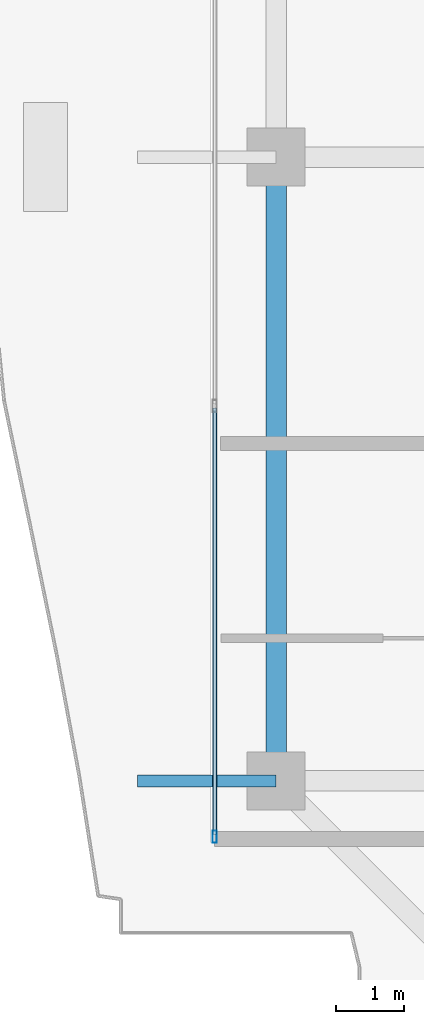
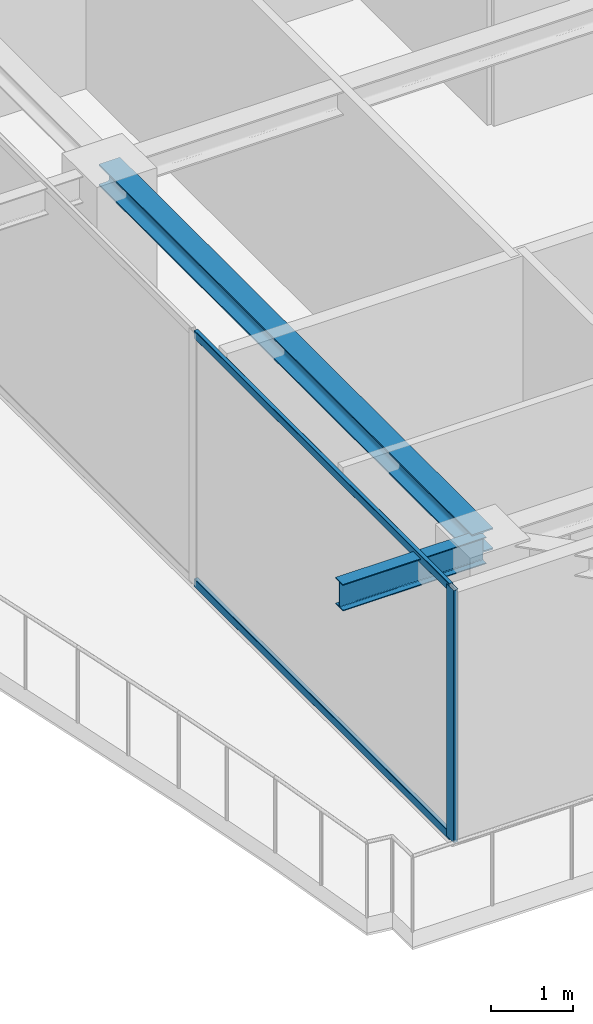
# One storey, part 3 of 36: 3 members, 2 beams, 1 element without a shape of its own.
"""IFC4 building model written with IfcOpenShell, lengths in metres."""

from ifc_helpers import new_model, si_unit, direction, frame, origin, origin_2d, place, context, subcontext, project, spatial, hollow_rectangle, i_section, extrude, source, transform, mapped, material, layer, layer_set, material_profile, profile_set, type_object, element, aggregate, save


model = new_model("IFC4")

# Units and contexts
model_context = context("Model", 3, precision=1e-05, world=origin(), true_north=direction((0.0, 1.0)))
body_context = subcontext(model_context, "Body", "Model", "MODEL_VIEW")
ifc_project = project(units=[si_unit("LENGTHUNIT", "METRE"), si_unit("AREAUNIT", "SQUARE_METRE"), si_unit("VOLUMEUNIT", "CUBIC_METRE"), si_unit("PLANEANGLEUNIT", "RADIAN"), si_unit("MASSUNIT", "GRAM", prefix="KILO")], contexts=[model_context])

# Site, building, storey
site_placement = place(None, origin())
site = spatial("IfcSite", under=ifc_project, at=site_placement, CompositionType="ELEMENT")
building_placement = place(site_placement, origin())
building = spatial("IfcBuilding", under=site, at=building_placement, Name="Serunith Strait Residences", CompositionType="ELEMENT")
storey_placement = place(building_placement, frame((0.0, 0.0, 338.0)))
storey = spatial("IfcBuildingStorey", under=building, at=storey_placement, Name="L84", CompositionType="ELEMENT", Elevation=338.0)

# Beams
ifc_material_1 = material(Name="Steel S355J2", Category="steel")
ifc_material_profile_1 = material_profile(ifc_material_1, i_section(OverallWidth=0.300048828125, OverallDepth=0.320068359375, WebThickness=0.011474609375, FlangeThickness=0.0205078125, FilletRadius=0.027099609375, at=origin_2d()), Name="HEB 320")
ifc_profile_set_1 = profile_set([ifc_material_profile_1], Name="Steel S355J2")
beam_type_1 = type_object("IfcBeamType", Name="BM-HEB320", PredefinedType="BEAM", material=ifc_profile_set_1)
shared_shape_1 = source(origin(), body_context, "Body", "SweptSolid", [
    extrude(i_section(OverallWidth=0.300048828125, OverallDepth=0.320068359375, WebThickness=0.011474609375, FlangeThickness=0.0205078125, FilletRadius=0.027099609375, at=origin_2d()), origin(), (0.0, 0.0, 1.0), 9.14990234375),
])
beam_1_placement = place(storey_placement, frame((11.699951171875, 21.0, 3.626953125), z_axis=(0.0, -1.0, 0.0), x_axis=(1.0, 0.0, 0.0)))
element("IfcBeam", 1, at=beam_1_placement, inside=storey, type_object=beam_type_1, Name="L84 Perimeter Ring Beam 15", PredefinedType="BEAM", context=body_context, shape_type="MappedRepresentation", body=[
    mapped(shared_shape_1, transform((0.0, 0.0, 0.0), scale=1.0)),
])
ifc_material_profile_2 = material_profile(ifc_material_1, i_section(OverallWidth=0.179931640625, OverallDepth=0.39990234375, WebThickness=0.008544921875, FlangeThickness=0.013427734375, FilletRadius=0.02099609375, at=origin_2d()), Name="IPE 400")
ifc_profile_set_2 = profile_set([ifc_material_profile_2], Name="Steel S355J2")
beam_type_2 = type_object("IfcBeamType", Name="BM-IPE400", PredefinedType="JOIST", material=ifc_profile_set_2)
shared_shape_2 = source(origin(), body_context, "Body", "SweptSolid", [
    extrude(i_section(OverallWidth=0.179931640625, OverallDepth=0.39990234375, WebThickness=0.008544921875, FlangeThickness=0.013427734375, FilletRadius=0.02099609375, at=origin_2d()), origin(), (0.0, 0.0, 1.0), 2.030029296875),
])
beam_2_placement = place(storey_placement, frame((11.699951171875, 11.85009765625, 3.556884765625), z_axis=(-1.0, 0.0, 0.0), x_axis=(0.0, -1.0, 0.0)))
element("IfcBeam", 2, at=beam_2_placement, inside=storey, type_object=beam_type_2, Name="L85 Cantilevered Balcony Rib TC-W1", PredefinedType="JOIST", context=body_context, shape_type="MappedRepresentation", body=[
    mapped(shared_shape_2, transform((0.0, 0.0, 0.0), scale=1.0)),
])

# Curtain wall, members
ifc_material_2 = material(Name="Brushed Stainless-Silver Aluminium", Category="aluminium")
ifc_layer = layer(ifc_material_2, 0.199951171875, Name="Brushed Stainless-Silver Aluminium")
ifc_layer_set = layer_set([ifc_layer], Name="Brushed Stainless-Silver Aluminium")
curtain_wall_type = type_object("IfcCurtainWallType", Name="CW-SYS5", PredefinedType="NOTDEFINED", material=ifc_layer_set)
curtain_wall_placement = place(storey_placement, origin())
curtain_wall = element("IfcCurtainWall", 3, at=curtain_wall_placement, inside=storey, type_object=curtain_wall_type, Name="L84 W Unitised Fritted Curtain Wall", PredefinedType="NOTDEFINED")
ifc_material_profile_3 = material_profile(ifc_material_2, hollow_rectangle(XDim=0.06494140625, YDim=0.179931640625, WallThickness=0.00341796875, InnerFilletRadius=0.00537109375, OuterFilletRadius=0.0087890625, at=origin_2d()), Name="ALU 180x65x3.5")
ifc_profile_set_3 = profile_set([ifc_material_profile_3], Name="Brushed Stainless-Silver Aluminium")
member_type_1 = type_object("IfcMemberType", Name="CW-SYS5-MULL", PredefinedType="MULLION", material=ifc_profile_set_3)
shared_shape_3 = source(origin(), body_context, "Body", "SweptSolid", [
    extrude(hollow_rectangle(XDim=0.06494140625, YDim=0.179931640625, WallThickness=0.00341796875, InnerFilletRadius=0.00537109375, OuterFilletRadius=0.0087890625, at=origin_2d()), origin(), (0.0, 0.0, 1.0), 3.77490234375),
])
member_1_placement = place(storey_placement, frame((10.800048828125, 11.032470703125, 0.0), z_axis=(0.0, 0.0, 1.0), x_axis=(1.0, 0.0, 0.0)))
member_1 = element("IfcMember", 4, at=member_1_placement, type_object=member_type_1, Name="CW-5 mullion 3", PredefinedType="MULLION", context=body_context, shape_type="MappedRepresentation", body=[
    mapped(shared_shape_3, transform((0.0, 0.0, 0.0), scale=1.0)),
])
ifc_material_profile_4 = material_profile(ifc_material_2, hollow_rectangle(XDim=0.06005859375, YDim=0.1201171875, WallThickness=0.00341796875, InnerFilletRadius=0.00537109375, OuterFilletRadius=0.0087890625, at=origin_2d()), Name="ALU 120x60x3.5")
ifc_profile_set_4 = profile_set([ifc_material_profile_4], Name="Brushed Stainless-Silver Aluminium")
member_type_2 = type_object("IfcMemberType", Name="CW-SYS5-TRAN", PredefinedType="USERDEFINED", material=ifc_profile_set_4)
shared_shape_4 = source(origin(), body_context, "Body", "SweptSolid", [
    extrude(hollow_rectangle(XDim=0.06005859375, YDim=0.1201171875, WallThickness=0.00341796875, InnerFilletRadius=0.00537109375, OuterFilletRadius=0.0087890625, at=origin_2d()), origin(), (0.0, 0.0, 1.0), 6.25244140625),
])
member_2_placement = place(storey_placement, frame((10.800048828125, 17.3173828125, 0.030029296875), z_axis=(0.0, -1.0, 0.0), x_axis=(1.0, 0.0, 0.0)))
member_2 = element("IfcMember", 5, at=member_2_placement, type_object=member_type_2, Name="CW-5 transom 2.1", ObjectType="TRANSOM", PredefinedType="USERDEFINED", context=body_context, shape_type="MappedRepresentation", body=[
    mapped(shared_shape_4, transform((0.0, 0.0, 0.0), scale=1.0)),
])
member_3_placement = place(storey_placement, frame((10.800048828125, 17.3173828125, 3.7451171875), z_axis=(0.0, -1.0, 0.0), x_axis=(1.0, 0.0, 0.0)))
member_3 = element("IfcMember", 6, at=member_3_placement, type_object=member_type_2, Name="CW-5 transom 2.2", ObjectType="TRANSOM", PredefinedType="USERDEFINED", context=body_context, shape_type="MappedRepresentation", body=[
    mapped(shared_shape_4, transform((0.0, 0.0, 0.0), scale=1.0)),
])
aggregate(curtain_wall, [member_1, member_2, member_3])

save(model, "model.ifc")
